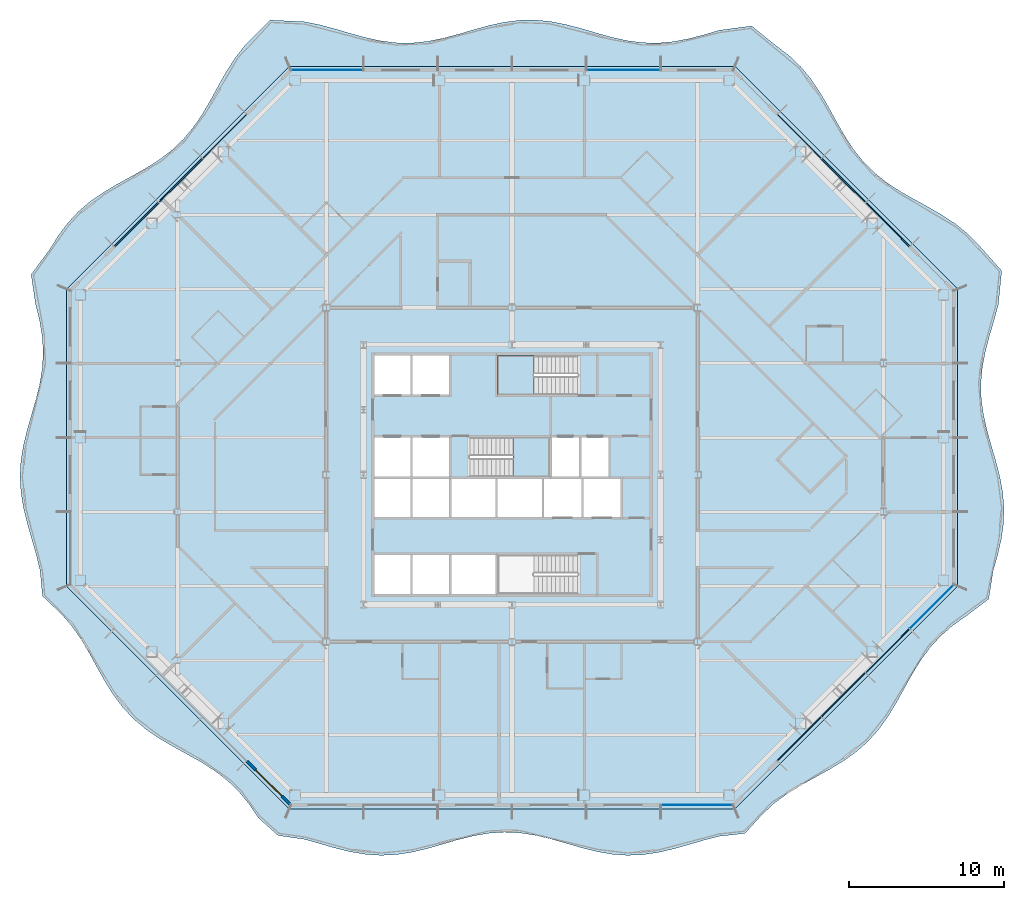
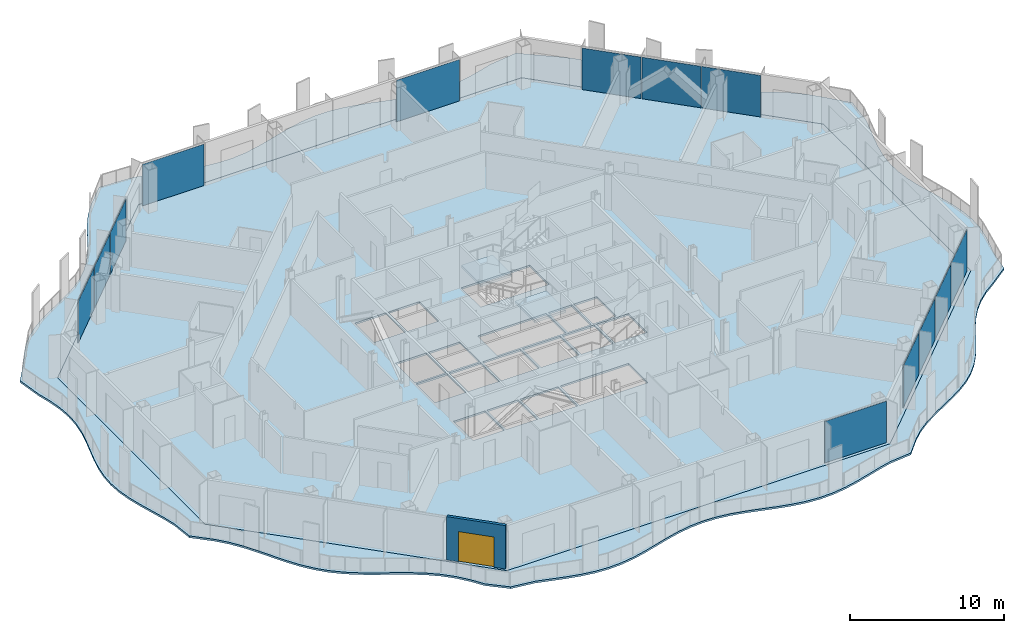
# One storey, part 6 of 21: 13 plates, 4 slabs, 1 door, 1 wall, 1 opening, 7 elements without a shape of their own.
"""IFC4 building model written with IfcOpenShell, lengths in metres."""

from ifc_helpers import new_model, si_unit, direction, frame, frame_2d, origin, origin_2d, place, context, subcontext, project, spatial, polyline, rectangle, outline, extrude, material, layer, layer_set, type_object, element, fill, aggregate, save


model = new_model("IFC4")

# Units and contexts
model_context = context("Model", 3, precision=1e-05, world=origin(), true_north=direction((0.0, 1.0)))
body_context = subcontext(model_context, "Body", "Model", "MODEL_VIEW")
ifc_project = project(units=[si_unit("LENGTHUNIT", "METRE"), si_unit("AREAUNIT", "SQUARE_METRE"), si_unit("VOLUMEUNIT", "CUBIC_METRE"), si_unit("PLANEANGLEUNIT", "RADIAN"), si_unit("MASSUNIT", "GRAM", prefix="KILO")], contexts=[model_context])

# Site, building, storey
site_placement = place(None, origin())
site = spatial("IfcSite", under=ifc_project, at=site_placement, CompositionType="ELEMENT")
building_placement = place(site_placement, origin())
building = spatial("IfcBuilding", under=site, at=building_placement, Name="Cairn Pilgrim Tower", CompositionType="ELEMENT")
storey_placement = place(building_placement, frame((0.0, 0.0, 129.0)))
storey = spatial("IfcBuildingStorey", under=building, at=storey_placement, Name="L31", CompositionType="ELEMENT", Elevation=129.0)

# Slabs
ifc_material_1 = material(Name="Concrete C35/45", Category="concrete")
ifc_layer_1 = layer(ifc_material_1, 0.14990234375)
ifc_layer_set_1 = layer_set([ifc_layer_1], Name="BALCONY SLAB 150 CONCRETE C35/45")
slab_type_1 = type_object("IfcSlabType", Name="BALCONY SLAB 150 CONCRETE C35/45", PredefinedType="FLOOR", material=ifc_layer_set_1)
slab_1_placement = place(storey_placement, frame((0.0, 0.0, -0.14990234375)))
element("IfcSlab", 1, at=slab_1_placement, inside=storey, type_object=slab_type_1, Name="Balcony slab BS-1", PredefinedType="FLOOR", context=body_context, shape_type="SweptSolid", body=[
    extrude(outline(polyline([(-9.2060546875, -19.76611328125), (-7.912353515625, -20.919677734375), (-6.206787109375, -21.1611328125), (-5.2138671875, -21.446044921875), (-4.220703125, -21.7314453125), (-3.2275390625, -21.974609375), (-2.234375, -22.138916015625), (-1.241455078125, -22.199951171875), (-0.248291015625, -22.148193359375), (0.744873046875, -21.99169921875), (1.738037109375, -21.75390625), (2.73095703125, -21.47021484375), (3.72412109375, -21.183837890625), (4.71728515625, -20.937255859375), (5.71044921875, -20.767578125), (6.703369140625, -20.700439453125), (7.696533203125, -20.74609375), (8.689697265625, -20.897216796875), (9.682861328125, -21.13134765625), (10.67578125, -21.41357421875), (11.6689453125, -21.700927734375), (12.662109375, -21.950927734375), (13.6552734375, -22.12548828125), (14.648193359375, -22.19873046875), (15.641357421875, -22.159423828125), (16.634521484375, -22.013671875), (17.627685546875, -21.783203125), (18.62060546875, -21.502685546875), (19.61376953125, -21.21435546875), (20.60693359375, -20.96142578125), (22.255126953125, -20.78173828125), (23.382080078125, -19.5419921875), (24.12890625, -18.84912109375), (24.955322265625, -18.235107421875), (25.84375, -17.683837890625), (26.768310546875, -17.168212890625), (27.6962890625, -16.656494140625), (28.59521484375, -16.115234375), (29.4365234375, -15.5166015625), (30.201171875, -14.84130859375), (30.88232421875, -14.082275390625), (31.48583984375, -13.245849609375), (32.0302734375, -12.350341796875), (32.543212890625, -11.42333984375), (33.057373046875, -10.49755859375), (33.605224609375, -9.605224609375), (34.214111328125, -8.77392578125), (34.901123046875, -8.021240234375), (35.671875, -7.351806640625), (36.51806640625, -6.758056640625), (38.00830078125, -5.6318359375), (38.301513671875, -3.78955078125), (38.586669921875, -2.779052734375), (38.819580078125, -1.768310546875), (38.9638671875, -0.7578125), (38.997314453125, 0.252685546875), (38.91455078125, 1.26318359375), (38.728515625, 2.273681640625), (38.468017578125, 3.2841796875), (38.173828125, 4.294677734375), (37.891357421875, 5.30517578125), (37.66455078125, 6.315673828125), (37.52880859375, 7.326416015625), (37.50537109375, 8.3369140625), (37.597412109375, 9.347412109375), (37.791015625, 10.35791015625), (38.055908203125, 11.368408203125), (38.350830078125, 12.37890625), (38.63037109375, 13.389404296875), (38.8505859375, 15.580810546875), (37.3857421875, 17.225830078125), (36.6748046875, 17.954833984375), (35.881103515625, 18.60107421875), (35.016357421875, 19.17626953125), (34.103515625, 19.703369140625), (33.1728515625, 20.212890625), (32.257568359375, 20.73779296875), (31.388916015625, 21.308837890625), (30.589599609375, 21.94970703125), (29.872802734375, 22.6728515625), (29.23779296875, 23.477783203125), (28.6708984375, 24.35107421875), (28.1484375, 25.268310546875), (27.638916015625, 26.19873046875), (27.109130859375, 27.109130859375), (26.529296875, 27.96923828125), (25.876953125, 28.757080078125), (25.141845703125, 29.4619140625), (24.325927734375, 30.0859375), (22.6806640625, 31.408935546875), (20.60693359375, 31.131591796875), (19.61376953125, 30.842041015625), (18.62060546875, 30.583740234375), (17.627685546875, 30.395263671875), (16.634521484375, 30.305419921875), (15.641357421875, 30.3271484375), (14.648193359375, 30.45751953125), (13.6552734375, 30.677001953125), (12.662109375, 30.952392578125), (11.6689453125, 31.242431640625), (10.67578125, 31.50341796875), (9.682861328125, 31.696533203125), (8.689697265625, 31.79248046875), (7.696533203125, 31.77685546875), (6.703369140625, 31.65234375), (5.71044921875, 31.43701171875), (4.71728515625, 31.163818359375), (3.72412109375, 30.87353515625), (2.73095703125, 30.609619140625), (1.738037109375, 30.411865234375), (0.744873046875, 30.31005859375), (-0.248291015625, 30.319091796875), (-1.241455078125, 30.438232421875), (-2.234375, 30.649169921875), (-3.2275390625, 30.920166015625), (-4.220703125, 31.210693359375), (-5.2138671875, 31.477294921875), (-6.206787109375, 31.679443359375), (-8.437255859375, 31.787109375), (-10.029052734375, 30.189208984375), (-10.6640625, 29.38427734375), (-11.23095703125, 28.510986328125), (-11.75341796875, 27.593505859375), (-12.262939453125, 26.6630859375), (-12.792724609375, 25.752685546875), (-13.372802734375, 24.892822265625), (-14.02490234375, 24.10498046875), (-14.76025390625, 23.400146484375), (-15.575927734375, 22.776123046875), (-16.457275390625, 22.21728515625), (-17.378662109375, 21.69873046875), (-18.30810546875, 21.188232421875), (-19.212890625, 20.653076171875), (-20.063720703125, 20.063720703125), (-20.840087890625, 19.39990234375), (-21.53271484375, 18.65283203125), (-22.146484375, 17.826416015625), (-22.697509765625, 16.9375), (-23.881103515625, 15.344970703125), (-23.589111328125, 13.389404296875), (-23.337646484375, 12.37890625), (-23.165771484375, 11.368408203125), (-23.100341796875, 10.35791015625), (-23.151123046875, 9.347412109375), (-23.310791015625, 8.3369140625), (-23.55419921875, 7.326416015625), (-23.843505859375, 6.315673828125), (-24.134033203125, 5.30517578125), (-24.380126953125, 4.294677734375), (-24.5439453125, 3.2841796875), (-24.60009765625, 2.273681640625), (-24.539306640625, 1.26318359375), (-24.37158203125, 0.252685546875), (-24.122802734375, -0.7578125), (-23.83154296875, -1.768310546875), (-23.543212890625, -2.779052734375), (-23.302490234375, -3.78955078125), (-23.14697265625, -5.440673828125), (-21.941162109375, -6.5810546875), (-21.27197265625, -7.35205078125), (-20.678466796875, -8.198486328125), (-20.140625, -9.1005859375), (-19.629638671875, -10.029541015625), (-19.1123046875, -10.952392578125), (-18.55712890625, -11.837158203125), (-17.93798828125, -12.657958984375), (-17.238525390625, -13.398681640625), (-16.4560546875, -14.05615234375), (-15.60009765625, -14.64013671875), (-14.6923828125, -15.17236328125), (-13.76220703125, -15.68212890625), (-12.843017578125, -16.202880859375), (-11.966064453125, -16.765869140625), (-11.156005859375, -17.39599609375), (-10.42724609375, -18.107421875), (-9.78125, -18.9013671875), (-9.2060546875, -19.76611328125)]), holes=[polyline([(21.60009765625, -19.199951171875), (-7.199951171875, -19.199951171875), (-21.60009765625, -4.800048828125), (-21.60009765625, 14.39990234375), (-7.199951171875, 28.800048828125), (21.60009765625, 28.800048828125), (36.0, 14.39990234375), (36.0, -4.800048828125), (21.60009765625, -19.199951171875)])]), origin(), (0.0, 0.0, 1.0), 0.14990234375),
])
ifc_layer_2 = layer(ifc_material_1, 0.14990234375)
ifc_layer_set_2 = layer_set([ifc_layer_2], Name="COMPOSITE FLOOR SLAB 150")
slab_type_2 = type_object("IfcSlabType", Name="COMPOSITE FLOOR SLAB 150", PredefinedType="FLOOR", material=ifc_layer_set_2)
slab_2_placement = place(storey_placement, frame((0.0, 0.0, -0.14990234375)))
element("IfcSlab", 2, at=slab_2_placement, inside=storey, type_object=slab_type_2, Name="FLOOR SLAB L31", PredefinedType="FLOOR", context=body_context, shape_type="SweptSolid", body=[
    extrude(outline(polyline([(-7.199951171875, -19.199951171875), (21.60009765625, -19.199951171875), (36.0, -4.800048828125), (36.0, 14.39990234375), (21.60009765625, 28.800048828125), (-7.199951171875, 28.800048828125), (-21.60009765625, 14.39990234375), (-21.60009765625, -4.800048828125), (-7.199951171875, -19.199951171875)]), holes=[polyline([(-1.72509765625, -5.300048828125), (0.625, -5.300048828125), (0.625, -2.77490234375), (-1.72509765625, -2.77490234375), (-1.72509765625, -5.300048828125)]), polyline([(0.77490234375, -5.300048828125), (3.125, -5.300048828125), (3.125, -2.77490234375), (0.77490234375, -2.77490234375), (0.77490234375, -5.300048828125)]), polyline([(-1.72509765625, -0.324951171875), (0.625, -0.324951171875), (0.625, 2.125), (-1.72509765625, 2.125), (-1.72509765625, -0.324951171875)]), polyline([(0.77490234375, -0.324951171875), (3.125, -0.324951171875), (3.125, 2.125), (0.77490234375, 2.125), (0.77490234375, -0.324951171875)]), polyline([(3.27490234375, -5.300048828125), (6.125, -5.300048828125), (6.125, -2.77490234375), (3.27490234375, -2.77490234375), (3.27490234375, -5.300048828125)]), polyline([(3.27490234375, -0.324951171875), (6.125, -0.324951171875), (6.125, 2.125), (3.27490234375, 2.125), (3.27490234375, -0.324951171875)]), polyline([(6.27490234375, -0.324951171875), (9.125, -0.324951171875), (9.125, 2.125), (6.27490234375, 2.125), (6.27490234375, -0.324951171875)]), polyline([(9.27490234375, -0.324951171875), (11.675048828125, -0.324951171875), (11.675048828125, 2.125), (9.27490234375, 2.125), (9.27490234375, -0.324951171875)]), polyline([(11.824951171875, -0.324951171875), (14.22509765625, -0.324951171875), (14.22509765625, 2.125), (11.824951171875, 2.125), (11.824951171875, -0.324951171875)]), polyline([(-1.72509765625, 2.27490234375), (0.625, 2.27490234375), (0.625, 4.824951171875), (-1.72509765625, 4.824951171875), (-1.72509765625, 2.27490234375)]), polyline([(0.77490234375, 2.27490234375), (3.125, 2.27490234375), (3.125, 4.824951171875), (0.77490234375, 4.824951171875), (0.77490234375, 2.27490234375)]), polyline([(-1.72509765625, 7.574951171875), (0.625, 7.574951171875), (0.625, 10.10009765625), (-1.72509765625, 10.10009765625), (-1.72509765625, 7.574951171875)]), polyline([(0.77490234375, 7.574951171875), (3.125, 7.574951171875), (3.125, 10.10009765625), (0.77490234375, 10.10009765625), (0.77490234375, 7.574951171875)]), polyline([(9.77490234375, 2.27490234375), (11.52490234375, 2.27490234375), (11.52490234375, 4.824951171875), (9.77490234375, 4.824951171875), (9.77490234375, 2.27490234375)]), polyline([(11.675048828125, 2.27490234375), (13.425048828125, 2.27490234375), (13.425048828125, 4.824951171875), (11.675048828125, 4.824951171875), (11.675048828125, 2.27490234375)]), polyline([(11.424560546875, -2.77490234375), (6.27490234375, -2.77490234375), (6.27490234375, -5.300048828125), (11.424560546875, -5.300048828125), (11.424560546875, -2.77490234375)]), polyline([(4.4755859375, 2.27490234375), (9.625, 2.27490234375), (9.625, 4.824951171875), (4.4755859375, 4.824951171875), (4.4755859375, 2.27490234375)]), polyline([(11.424560546875, 10.10009765625), (6.27490234375, 10.10009765625), (6.27490234375, 7.574951171875), (11.424560546875, 7.574951171875), (11.424560546875, 10.10009765625)])]), origin(), (0.0, 0.0, 1.0), 0.14990234375),
])

# Curtain wall, plates
ifc_material_2 = material(Name="Aluminium alloy 6063-T6 bronze anodised with Bronze tinted laminated low-E glass 8+16+8.8", Category="aluminium")
curtain_wall_type_1 = type_object("IfcCurtainWallType", Name="CHAMFER CORNER CURTAIN WALL", PredefinedType="NOTDEFINED", material=ifc_material_2)
curtain_wall_1_placement = place(storey_placement, origin())
curtain_wall_1 = element("IfcCurtainWall", 3, at=curtain_wall_1_placement, inside=storey, type_object=curtain_wall_type_1, Name="Chamfer Corner Curtain Wall SE", PredefinedType="NOTDEFINED")
ifc_material_3 = material(Name="Bronze anodised aluminium spandrel panel with mineral wool insulation", Category="aluminium")
ifc_layer_3 = layer(ifc_material_3, 0.06005859375)
ifc_layer_set_3 = layer_set([ifc_layer_3], Name="SPANDREL PANEL 3972x3300")
plate_type_1 = type_object("IfcPlateType", Name="SPANDREL PANEL 3972x3300", PredefinedType="CURTAIN_PANEL", material=ifc_layer_set_3)
plate_1_placement = place(storey_placement, frame((25.7724609375, -14.673828125, 0.0), z_axis=(0.0, 0.0, 1.0), x_axis=(0.707106781187, 0.707106781187, 0.0)))
plate_1 = element("IfcPlate", 4, at=plate_1_placement, type_object=plate_type_1, Name="Spandrel Panel SE2-1", PredefinedType="CURTAIN_PANEL", context=body_context, shape_type="SweptSolid", body=[
    extrude(rectangle(XDim=3.971435546875, YDim=0.06005859375, at=origin_2d()), origin(), (0.0, 0.0, 1.0), 3.300048828125),
])
plate_2_placement = place(storey_placement, frame((28.623291015625, -11.8232421875, 0.0), z_axis=(0.0, 0.0, 1.0), x_axis=(0.707106781187, 0.707106781187, 0.0)))
plate_2 = element("IfcPlate", 5, at=plate_2_placement, type_object=plate_type_1, Name="Spandrel Panel SE3-1", PredefinedType="CURTAIN_PANEL", context=body_context, shape_type="SweptSolid", body=[
    extrude(rectangle(XDim=3.971435546875, YDim=0.06005859375, at=origin_2d()), origin(), (0.0, 0.0, 1.0), 3.300048828125),
])
plate_3_placement = place(storey_placement, frame((31.473876953125, -8.972412109375, 0.0), z_axis=(0.0, 0.0, 1.0), x_axis=(0.707106781187, 0.707106781187, 0.0)))
plate_3 = element("IfcPlate", 6, at=plate_3_placement, type_object=plate_type_1, Name="Spandrel Panel SE4-1", PredefinedType="CURTAIN_PANEL", context=body_context, shape_type="SweptSolid", body=[
    extrude(rectangle(XDim=3.971435546875, YDim=0.06005859375, at=origin_2d()), origin(), (0.0, 0.0, 1.0), 3.300048828125),
])

curtain_wall_2_placement = place(storey_placement, origin())
curtain_wall_2 = element("IfcCurtainWall", 7, at=curtain_wall_2_placement, inside=storey, type_object=curtain_wall_type_1, Name="Chamfer Corner Curtain Wall NE", PredefinedType="NOTDEFINED")
plate_4_placement = place(storey_placement, frame((31.473876953125, 18.572509765625, 0.0), z_axis=(0.0, 0.0, 1.0), x_axis=(-0.707106781187, 0.707106781187, 0.0)))
plate_4 = element("IfcPlate", 8, at=plate_4_placement, type_object=plate_type_1, Name="Spandrel Panel NE2-1", PredefinedType="CURTAIN_PANEL", context=body_context, shape_type="SweptSolid", body=[
    extrude(rectangle(XDim=3.971435546875, YDim=0.06005859375, at=origin_2d()), origin(), (0.0, 0.0, 1.0), 3.300048828125),
])
plate_5_placement = place(storey_placement, frame((28.623291015625, 21.42333984375, 0.0), z_axis=(0.0, 0.0, 1.0), x_axis=(-0.707106781187, 0.707106781187, 0.0)))
plate_5 = element("IfcPlate", 9, at=plate_5_placement, type_object=plate_type_1, Name="Spandrel Panel NE3-1", PredefinedType="CURTAIN_PANEL", context=body_context, shape_type="SweptSolid", body=[
    extrude(rectangle(XDim=3.971435546875, YDim=0.06005859375, at=origin_2d()), origin(), (0.0, 0.0, 1.0), 3.300048828125),
])
plate_6_placement = place(storey_placement, frame((25.7724609375, 24.27392578125, 0.0), z_axis=(0.0, 0.0, 1.0), x_axis=(-0.707106781187, 0.707106781187, 0.0)))
plate_6 = element("IfcPlate", 10, at=plate_6_placement, type_object=plate_type_1, Name="Spandrel Panel NE4-1", PredefinedType="CURTAIN_PANEL", context=body_context, shape_type="SweptSolid", body=[
    extrude(rectangle(XDim=3.971435546875, YDim=0.06005859375, at=origin_2d()), origin(), (0.0, 0.0, 1.0), 3.300048828125),
])
aggregate(curtain_wall_2, [plate_4, plate_5, plate_6])

curtain_wall_3_placement = place(storey_placement, origin())
curtain_wall_3 = element("IfcCurtainWall", 11, at=curtain_wall_3_placement, inside=storey, type_object=curtain_wall_type_1, Name="Chamfer Corner Curtain Wall NW", PredefinedType="NOTDEFINED")
plate_7_placement = place(storey_placement, frame((-11.37255859375, 24.27392578125, 0.0), z_axis=(0.0, 0.0, 1.0), x_axis=(-0.707106781187, -0.707106781187, 0.0)))
plate_7 = element("IfcPlate", 12, at=plate_7_placement, type_object=plate_type_1, Name="Spandrel Panel NW2-1", PredefinedType="CURTAIN_PANEL", context=body_context, shape_type="SweptSolid", body=[
    extrude(rectangle(XDim=3.971435546875, YDim=0.06005859375, at=origin_2d()), origin(), (0.0, 0.0, 1.0), 3.300048828125),
])
plate_8_placement = place(storey_placement, frame((-14.22314453125, 21.42333984375, 0.0), z_axis=(0.0, 0.0, 1.0), x_axis=(-0.707106781187, -0.707106781187, 0.0)))
plate_8 = element("IfcPlate", 13, at=plate_8_placement, type_object=plate_type_1, Name="Spandrel Panel NW3-1", PredefinedType="CURTAIN_PANEL", context=body_context, shape_type="SweptSolid", body=[
    extrude(rectangle(XDim=3.971435546875, YDim=0.06005859375, at=origin_2d()), origin(), (0.0, 0.0, 1.0), 3.300048828125),
])
plate_9_placement = place(storey_placement, frame((-17.073974609375, 18.572509765625, 0.0), z_axis=(0.0, 0.0, 1.0), x_axis=(-0.707106781187, -0.707106781187, 0.0)))
plate_9 = element("IfcPlate", 14, at=plate_9_placement, type_object=plate_type_1, Name="Spandrel Panel NW4-1", PredefinedType="CURTAIN_PANEL", context=body_context, shape_type="SweptSolid", body=[
    extrude(rectangle(XDim=3.971435546875, YDim=0.06005859375, at=origin_2d()), origin(), (0.0, 0.0, 1.0), 3.300048828125),
])
aggregate(curtain_wall_3, [plate_7, plate_8, plate_9])

# Stair, slab
ifc_material_4 = material(Name="Concrete C32/40", Category="concrete")
stair_type = type_object("IfcStairType", Name="EXIT STAIR 1200", PredefinedType="HALF_TURN_STAIR", material=ifc_material_4)
stair_1_placement = place(storey_placement, origin())
stair_1 = element("IfcStair", 15, at=stair_1_placement, inside=storey, type_object=stair_type, Name="L31 Exit Stair B", PredefinedType="HALF_TURN_STAIR")
ifc_layer_4 = layer(ifc_material_4, 0.199951171875)
ifc_layer_set_4 = layer_set([ifc_layer_4], Name="STAIR LANDING 200")
slab_type_3 = type_object("IfcSlabType", Name="STAIR LANDING 200", PredefinedType="LANDING", material=ifc_layer_set_4)
slab_3_placement = place(storey_placement, frame((0.0, 0.0, 1.60009765625)))
slab_3 = element("IfcSlab", 16, at=slab_3_placement, type_object=slab_type_3, Name="ST-B landing 1", PredefinedType="LANDING", context=body_context, shape_type="SweptSolid", body=[
    extrude(outline(polyline([(7.27490234375, 2.27490234375), (9.625, 2.27490234375), (9.625, 4.824951171875), (7.27490234375, 4.824951171875), (7.27490234375, 2.27490234375)])), origin(), (0.0, 0.0, 1.0), 0.199951171875),
])
aggregate(stair_1, [slab_3])

stair_2_placement = place(storey_placement, origin())
stair_2 = element("IfcStair", 17, at=stair_2_placement, inside=storey, type_object=stair_type, Name="L31 Exit Stair C", PredefinedType="HALF_TURN_STAIR")
slab_4_placement = place(storey_placement, frame((0.0, 0.0, 1.60009765625)))
slab_4 = element("IfcSlab", 18, at=slab_4_placement, type_object=slab_type_3, Name="ST-C landing 1", PredefinedType="LANDING", context=body_context, shape_type="SweptSolid", body=[
    extrude(outline(polyline([(8.625, 10.10009765625), (6.27490234375, 10.10009765625), (6.27490234375, 7.574951171875), (8.625, 7.574951171875), (8.625, 10.10009765625)])), origin(), (0.0, 0.0, 1.0), 0.199951171875),
])
aggregate(stair_2, [slab_4])

# Plate
ifc_material_5 = material(Name="Bronze tinted laminated low-E glass 8+16+8.8", Category="glass")
ifc_layer_5 = layer(ifc_material_5, 0.033935546875)
ifc_layer_set_5 = layer_set([ifc_layer_5], Name="VISION GLAZING 3962x3300")
plate_type_2 = type_object("IfcPlateType", Name="VISION GLAZING 3962x3300", PredefinedType="CURTAIN_PANEL", material=ifc_layer_set_5)
plate_10_placement = place(storey_placement, frame((34.321044921875, -6.125244140625, 0.0), z_axis=(0.0, 0.0, 1.0), x_axis=(0.707106781187, 0.707106781187, 0.0)))
plate_10 = element("IfcPlate", 19, at=plate_10_placement, type_object=plate_type_2, Name="Vision Glazing SE5-1", PredefinedType="CURTAIN_PANEL", context=body_context, shape_type="SweptSolid", body=[
    extrude(rectangle(XDim=3.96142578125, YDim=0.033935546875, at=origin_2d()), origin(), (0.0, 0.0, 1.0), 3.300048828125),
])

aggregate(curtain_wall_1, [plate_1, plate_2, plate_3, plate_10])

# Curtain wall, plate
curtain_wall_type_2 = type_object("IfcCurtainWallType", Name="TOWER STICK CURTAIN WALL NS", PredefinedType="NOTDEFINED", material=ifc_material_2)
curtain_wall_4_placement = place(storey_placement, origin())
curtain_wall_4 = element("IfcCurtainWall", 20, at=curtain_wall_4_placement, inside=storey, type_object=curtain_wall_type_2, Name="Tower Stick Curtain Wall Ns S", PredefinedType="NOTDEFINED")
ifc_layer_6 = layer(ifc_material_5, 0.033935546875)
ifc_layer_set_6 = layer_set([ifc_layer_6], Name="VISION GLAZING 4626x3300")
plate_type_3 = type_object("IfcPlateType", Name="VISION GLAZING 4626x3300", PredefinedType="CURTAIN_PANEL", material=ifc_layer_set_6)
plate_11_placement = place(storey_placement, frame((19.143310546875, -18.949951171875, 0.0), z_axis=(0.0, 0.0, 1.0), x_axis=(1.0, 0.0, 0.0)))
plate_11 = element("IfcPlate", 21, at=plate_11_placement, type_object=plate_type_3, Name="Vision Glazing S6-1", PredefinedType="CURTAIN_PANEL", context=body_context, shape_type="SweptSolid", body=[
    extrude(rectangle(XDim=4.62646484375, YDim=0.033935546875, at=origin_2d()), origin(), (0.0, 0.0, 1.0), 3.300048828125),
])
aggregate(curtain_wall_4, [plate_11])

# Curtain wall, plates
curtain_wall_5_placement = place(storey_placement, origin())
curtain_wall_5 = element("IfcCurtainWall", 22, at=curtain_wall_5_placement, inside=storey, type_object=curtain_wall_type_2, Name="Tower Stick Curtain Wall Ns N", PredefinedType="NOTDEFINED")
plate_12_placement = place(storey_placement, frame((-4.7431640625, 28.550048828125, 0.0), z_axis=(0.0, 0.0, 1.0), x_axis=(-1.0, 0.0, 0.0)))
plate_12 = element("IfcPlate", 23, at=plate_12_placement, type_object=plate_type_3, Name="Vision Glazing N6-1", PredefinedType="CURTAIN_PANEL", context=body_context, shape_type="SweptSolid", body=[
    extrude(rectangle(XDim=4.62646484375, YDim=0.033935546875, at=origin_2d()), origin(), (0.0, 0.0, 1.0), 3.300048828125),
])
ifc_layer_7 = layer(ifc_material_5, 0.033935546875)
ifc_layer_set_7 = layer_set([ifc_layer_7], Name="VISION GLAZING 4740x3300")
plate_type_4 = type_object("IfcPlateType", Name="VISION GLAZING 4740x3300", PredefinedType="CURTAIN_PANEL", material=ifc_layer_set_7)
plate_13_placement = place(storey_placement, frame((14.39990234375, 28.550048828125, 0.0), z_axis=(0.0, 0.0, 1.0), x_axis=(-1.0, 0.0, 0.0)))
plate_13 = element("IfcPlate", 24, at=plate_13_placement, type_object=plate_type_4, Name="Vision Glazing N2-1", PredefinedType="CURTAIN_PANEL", context=body_context, shape_type="SweptSolid", body=[
    extrude(rectangle(XDim=4.739990234375, YDim=0.033935546875, at=origin_2d()), origin(), (0.0, 0.0, 1.0), 3.300048828125),
])
aggregate(curtain_wall_5, [plate_13, plate_12])

# Wall, opening, door
ifc_material_6 = material(Name="Bronze anodised aluminium insulated sandwich panel with mineral wool fill", Category="aluminium")
ifc_layer_8 = layer(ifc_material_6, 0.199951171875)
ifc_layer_set_8 = layer_set([ifc_layer_8], Name="BRONZE INFILL FRAME WALL 200")
wall_type = type_object("IfcWallType", Name="BRONZE INFILL FRAME WALL 200", PredefinedType="NOTDEFINED", material=ifc_layer_set_8)
wall_placement = place(storey_placement, frame((-9.926025390625, -16.12060546875, 0.0), z_axis=(0.0, 0.0, 1.0), x_axis=(0.707137595296, -0.707075965734, 0.0)))
wall = element("IfcWall", 25, at=wall_placement, inside=storey, type_object=wall_type, Name="Bronze infill frame wall IW-SW5", PredefinedType="NOTDEFINED", context=body_context, shape_type="SweptSolid", body=[
    extrude(rectangle(XDim=3.96142578125, YDim=0.199951171875, at=frame_2d((1.980712890625, 0.0))), origin(), (0.0, 0.0, 1.0), 3.449951171875),
])
opening_placement = place(wall_placement, frame((0.78564453125, 0.0, 0.0)))
opening = element("IfcOpeningElement", 26, at=opening_placement, cuts=wall, Name="Opening 3116B", PredefinedType="OPENING", context=body_context, shape_type="SweptSolid", body=[
    extrude(rectangle(XDim=2.39990234375, YDim=2.39990234375, at=frame_2d((1.199951171875, 1.199951171875))), frame((0.0, 0.10986328125, 0.0), z_axis=(0.0, -1.0, 0.0), x_axis=(1.0, 0.0, 0.0)), (0.0, 0.0, 1.0), 0.219970703125),
])
ifc_material_7 = material(Name="Bronze anodised aluminium frame with tinted low-E glass", Category="aluminium")
door_type = type_object("IfcDoorType", Name="BALCONY SLIDING DOOR 2400x2400", OperationType="DOUBLE_DOOR_SLIDING", PredefinedType="DOOR", material=ifc_material_7)
door_placement = place(opening_placement, origin())
door = element("IfcDoor", 27, at=door_placement, inside=storey, type_object=door_type, Name="Balcony sliding door 3116B", OperationType="SINGLE_SWING_LEFT", OverallHeight=2.39990234375, OverallWidth=2.39990234375, PredefinedType="DOOR", context=body_context, shape_type="SweptSolid", body=[
    extrude(rectangle(XDim=2.39990234375, YDim=2.39990234375, at=frame_2d((1.199951171875, 1.199951171875))), frame((0.0, 0.02490234375, 0.0), z_axis=(0.0, -1.0, 0.0), x_axis=(1.0, 0.0, 0.0)), (0.0, 0.0, 1.0), 0.050048828125),
])
fill(opening, door)

save(model, "model.ifc")
